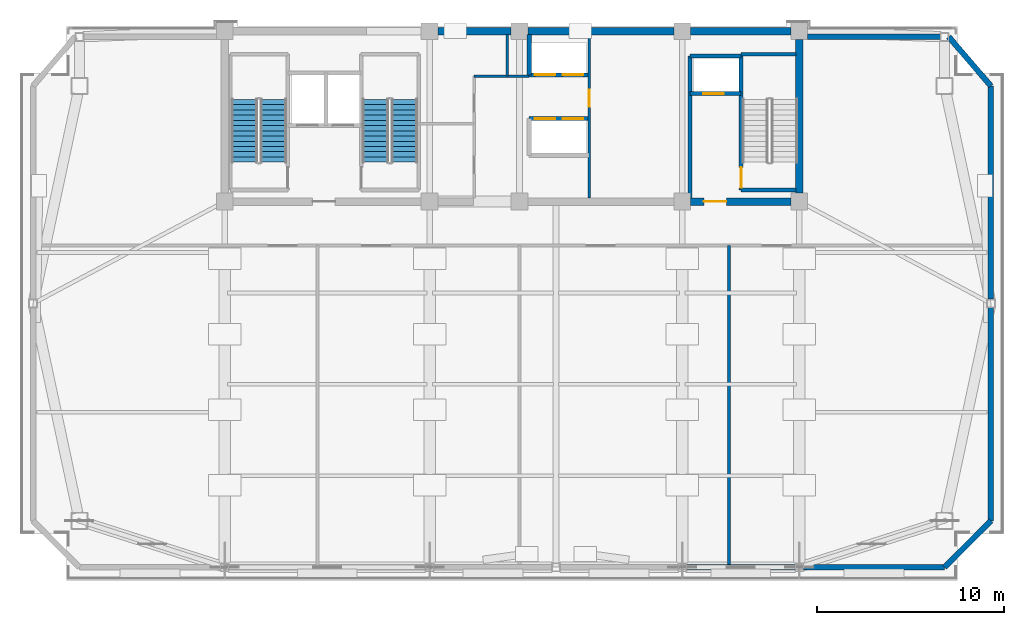
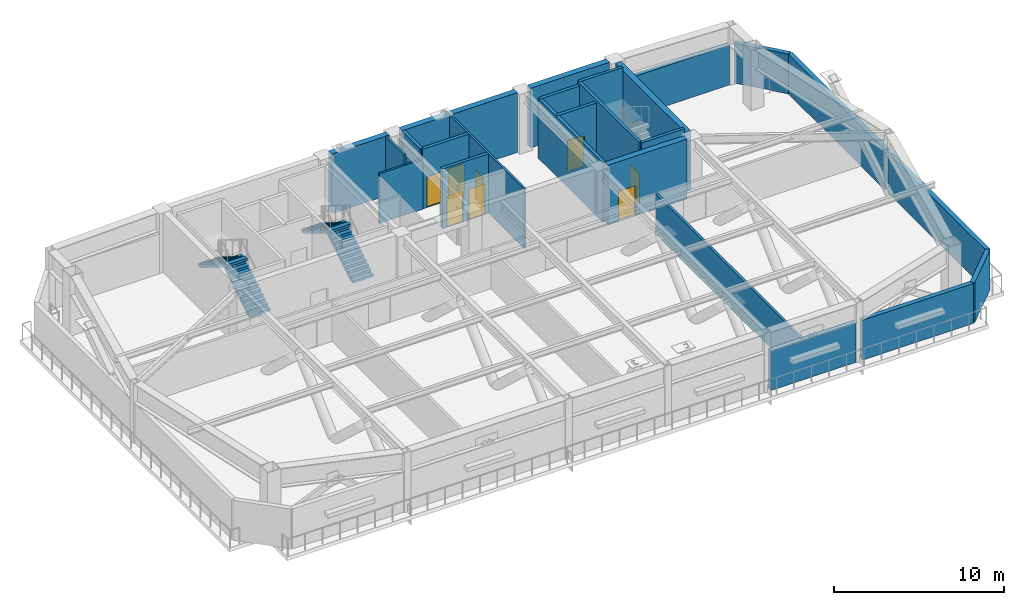
# One storey, part 4 of 8: 25 walls, 8 doors, 4 stair flights, 8 openings, 2 elements without a shape of their own.
"""IFC4 building model written with IfcOpenShell, lengths in metres."""

from ifc_helpers import new_model, si_unit, direction, frame, frame_2d, origin, place, context, subcontext, project, spatial, polyline, rectangle, outline, extrude, source, transform, mapped, material, layer, layer_set, type_object, element, fill, aggregate, save


model = new_model("IFC4")

# Units and contexts
model_context = context("Model", 3, precision=1e-05, world=origin(), true_north=direction((0.0, 1.0)))
body_context = subcontext(model_context, "Body", "Model", "MODEL_VIEW")
ifc_project = project(units=[si_unit("LENGTHUNIT", "METRE"), si_unit("AREAUNIT", "SQUARE_METRE"), si_unit("VOLUMEUNIT", "CUBIC_METRE"), si_unit("PLANEANGLEUNIT", "RADIAN"), si_unit("MASSUNIT", "GRAM", prefix="KILO")], contexts=[model_context])

# Site, building, storey
site_placement = place(None, origin())
site = spatial("IfcSite", under=ifc_project, at=site_placement, CompositionType="ELEMENT")
building_placement = place(site_placement, origin())
building = spatial("IfcBuilding", under=site, at=building_placement, Name="Giltprow Tower", CompositionType="ELEMENT")
storey_placement = place(building_placement, frame((0.0, 0.0, 285.89990234375)))
storey = spatial("IfcBuildingStorey", under=building, at=storey_placement, Name="L73", CompositionType="ELEMENT", Elevation=285.89990234375)

# Walls
ifc_material_1 = material(Name="Precast concrete C40", Category="concrete")
ifc_layer_1 = layer(ifc_material_1, 0.300048828125, Name="Precast concrete C40")
ifc_layer_set_1 = layer_set([ifc_layer_1], Name="Precast concrete C40")
wall_type_1 = type_object("IfcWallType", Name="EW-NOTCH-CHAMFER-300", PredefinedType="SOLIDWALL", material=ifc_layer_set_1)
wall_1_placement = place(storey_placement, frame((58.31396484375, 17.907958984375, 0.0), z_axis=(0.0, 0.0, 1.0), x_axis=(0.707106781187, 0.707106781187, 0.0)))
element("IfcWall", 1, at=wall_1_placement, inside=storey, type_object=wall_type_1, Name="L73 Corner Notch Wall SE", PredefinedType="SOLIDWALL", context=body_context, shape_type="SweptSolid", body=[
    extrude(rectangle(XDim=3.503173828125, YDim=0.300048828125, at=frame_2d((1.75146484375, 0.0))), origin(), (0.0, 0.0, 1.0), 2.864990234375),
])
wall_2_placement = place(storey_placement, frame((60.791015625, 43.6220703125, 0.0), z_axis=(0.0, 0.0, 1.0), x_axis=(-0.650698416405, 0.759336269968, 0.0)))
element("IfcWall", 2, at=wall_2_placement, inside=storey, type_object=wall_type_1, Name="L73 Corner Notch Wall NE", PredefinedType="SOLIDWALL", context=body_context, shape_type="SweptSolid", body=[
    extrude(rectangle(XDim=3.4609375, YDim=0.300048828125, at=frame_2d((1.73046875, 0.0))), origin(), (0.0, 0.0, 1.0), 2.864990234375),
])
ifc_layer_2 = layer(ifc_material_1, 0.300048828125, Name="Precast concrete C40")
ifc_layer_set_2 = layer_set([ifc_layer_2], Name="Precast concrete C40")
wall_type_2 = type_object("IfcWallType", Name="EW-REF-LOUVRE-300", PredefinedType="SOLIDWALL", material=ifc_layer_set_2)
wall_3_placement = place(storey_placement, frame((44.52490234375, 17.907958984375, 0.0), z_axis=(0.0, 0.0, 1.0), x_axis=(1.0, 0.0, 0.0)))
element("IfcWall", 3, at=wall_3_placement, inside=storey, type_object=wall_type_2, Name="L73 South Expressed Frame Wall 5", PredefinedType="SOLIDWALL", context=body_context, shape_type="SweptSolid", body=[
    extrude(rectangle(XDim=5.800048828125, YDim=0.300048828125, at=frame_2d((2.89990234375, 0.0))), origin(), (0.0, 0.0, 1.0), 2.864990234375),
])
wall_4_placement = place(storey_placement, frame((50.77490234375, 17.907958984375, 0.0), z_axis=(0.0, 0.0, 1.0), x_axis=(1.0, 0.0, 0.0)))
element("IfcWall", 4, at=wall_4_placement, inside=storey, type_object=wall_type_2, Name="L73 South Expressed Frame Wall 6", PredefinedType="SOLIDWALL", context=body_context, shape_type="SweptSolid", body=[
    extrude(rectangle(XDim=7.5390625, YDim=0.300048828125, at=frame_2d((3.76953125, 0.0))), origin(), (0.0, 0.0, 1.0), 2.864990234375),
])
wall_5_placement = place(storey_placement, frame((60.791015625, 20.385009765625, 0.0), z_axis=(0.0, 0.0, 1.0), x_axis=(0.0, 1.0, 0.0)))
element("IfcWall", 5, at=wall_5_placement, inside=storey, type_object=wall_type_2, Name="L73 E Wing Masonry Wall 1", PredefinedType="SOLIDWALL", context=body_context, shape_type="SweptSolid", body=[
    extrude(rectangle(XDim=11.39404296875, YDim=0.300048828125, at=frame_2d((5.697021484375, 0.0))), origin(), (0.0, 0.0, 1.0), 2.864990234375),
])
wall_6_placement = place(storey_placement, frame((60.791015625, 32.22900390625, 0.0), z_axis=(0.0, 0.0, 1.0), x_axis=(0.0, 1.0, 0.0)))
element("IfcWall", 6, at=wall_6_placement, inside=storey, type_object=wall_type_2, Name="L73 E Wing Masonry Wall 2", PredefinedType="SOLIDWALL", context=body_context, shape_type="SweptSolid", body=[
    extrude(rectangle(XDim=11.39306640625, YDim=0.300048828125, at=frame_2d((5.696533203125, 0.0))), origin(), (0.0, 0.0, 1.0), 2.864990234375),
])
wall_7_placement = place(storey_placement, frame((51.0, 46.25, 0.0), z_axis=(0.0, 0.0, 1.0), x_axis=(1.0, 0.0, 0.0)))
element("IfcWall", 7, at=wall_7_placement, inside=storey, type_object=wall_type_2, Name="L73 North-East Wing Wall", PredefinedType="SOLIDWALL", context=body_context, shape_type="SweptSolid", body=[
    extrude(rectangle(XDim=7.089111328125, YDim=0.300048828125, at=frame_2d((3.54443359375, 0.0))), origin(), (0.0, 0.0, 1.0), 2.864990234375),
])
ifc_material_2 = material(Name="Gypsum stud partition", Category="gypsum")
ifc_layer_3 = layer(ifc_material_2, 0.159912109375, Name="Gypsum stud partition")
ifc_layer_set_3 = layer_set([ifc_layer_3], Name="Gypsum stud partition")
wall_type_3 = type_object("IfcWallType", Name="IW-DEMISE-160", PredefinedType="PARTITIONING", material=ifc_layer_set_3)
wall_8_placement = place(storey_placement, frame((46.800048828125, 17.907958984375, 0.0), z_axis=(0.0, 0.0, 1.0), x_axis=(0.0, 1.0, 0.0)))
element("IfcWall", 8, at=wall_8_placement, inside=storey, type_object=wall_type_3, Name="L73 Refuge Compartment Wall 3", PredefinedType="PARTITIONING", context=body_context, shape_type="SweptSolid", body=[
    extrude(rectangle(XDim=17.192138671875, YDim=0.159912109375, at=frame_2d((8.59619140625, 0.0))), origin(), (0.0, 0.0, 1.0), 2.8701171875),
])

# Wall, opening, door
ifc_material_3 = material(Name="Concrete C40", Category="concrete")
ifc_layer_4 = layer(ifc_material_3, 0.219970703125, Name="Concrete C40")
ifc_layer_set_4 = layer_set([ifc_layer_4], Name="Concrete C40")
wall_type_4 = type_object("IfcWallType", Name="IW-SHAFT-220", PredefinedType="SOLIDWALL", material=ifc_layer_set_4)
wall_9_placement = place(storey_placement, frame((44.719970703125, 43.219970703125, 0.0), z_axis=(0.0, 0.0, 1.0), x_axis=(1.0, 0.0, 0.0)))
wall_9 = element("IfcWall", 9, at=wall_9_placement, inside=storey, type_object=wall_type_4, Name="L73 FFL2 Front Shaft Wall", PredefinedType="SOLIDWALL", context=body_context, shape_type="SweptSolid", body=[
    extrude(rectangle(XDim=2.719970703125, YDim=0.219970703125, at=frame_2d((1.35986328125, 0.0))), origin(), (0.0, 0.0, 1.0), 4.28515625),
])
opening_1_placement = place(wall_9_placement, frame((0.699951171875, 0.0, 0.0)))
opening_1 = element("IfcOpeningElement", 10, at=opening_1_placement, cuts=wall_9, Name="Opening LD-11", PredefinedType="OPENING", context=body_context, shape_type="SweptSolid", body=[
    extrude(rectangle(XDim=1.10009765625, YDim=2.199951171875, at=frame_2d((0.550048828125, 1.10009765625))), frame((0.0, 0.119873046875, 0.0), z_axis=(0.0, -1.0, 0.0), x_axis=(1.0, 0.0, 0.0)), (0.0, 0.0, 1.0), 0.239990234375),
])
ifc_material_4 = material(Name="Stainless steel", Category="steel")
door_type_1 = type_object("IfcDoorType", Name="DR-LIFT-LD1100", OperationType="SLIDING_TO_LEFT", PredefinedType="DOOR", material=ifc_material_4)
shared_shape_1 = source(origin(), body_context, "Body", "SweptSolid", [
    extrude(rectangle(XDim=1.10009765625, YDim=2.199951171875, at=frame_2d((0.550048828125, 1.10009765625))), frame((0.0, 0.02490234375, 0.0), z_axis=(0.0, -1.0, 0.0), x_axis=(1.0, 0.0, 0.0)), (0.0, 0.0, 1.0), 0.050048828125),
])
door_1_placement = place(opening_1_placement, origin())
door_1 = element("IfcDoor", 11, at=door_1_placement, inside=storey, type_object=door_type_1, Name="L73 FFL2 Landing Door", OperationType="SLIDING_TO_LEFT", OverallHeight=2.199951171875, OverallWidth=1.10009765625, PredefinedType="DOOR", context=body_context, shape_type="MappedRepresentation", body=[
    mapped(shared_shape_1, transform((0.0, 0.0, 0.0), x_axis=(1.0, 0.0, 0.0), y_axis=(0.0, 1.0, 0.0), z_axis=(0.0, 0.0, 1.0), scale=1.0)),
])
fill(opening_1, door_1)

# Walls
wall_10_placement = place(storey_placement, frame((44.719970703125, 45.219970703125, 0.0), z_axis=(0.0, 0.0, 1.0), x_axis=(1.0, 0.0, 0.0)))
element("IfcWall", 12, at=wall_10_placement, inside=storey, type_object=wall_type_4, Name="L73 FFL2 Back Shaft Wall", PredefinedType="SOLIDWALL", context=body_context, shape_type="SweptSolid", body=[
    extrude(rectangle(XDim=2.719970703125, YDim=0.219970703125, at=frame_2d((1.35986328125, 0.0))), origin(), (0.0, 0.0, 1.0), 4.28515625),
])
wall_11_placement = place(storey_placement, frame((44.719970703125, 37.6298828125, 0.0), z_axis=(0.0, 0.0, 1.0), x_axis=(0.0, 1.0, 0.0)))
element("IfcWall", 13, at=wall_11_placement, inside=storey, type_object=wall_type_4, Name="L73 East Firefighting Lobby West Wall", PredefinedType="SOLIDWALL", context=body_context, shape_type="SweptSolid", body=[
    extrude(rectangle(XDim=7.590087890625, YDim=0.219970703125, at=frame_2d((3.794921875, 0.0))), origin(), (0.0, 0.0, 1.0), 4.28515625),
])

# Wall, openings, doors
wall_12_placement = place(storey_placement, frame((36.1201171875, 44.219970703125, 0.0), z_axis=(0.0, 0.0, 1.0), x_axis=(1.0, 0.0, 0.0)))
wall_12 = element("IfcWall", 14, at=wall_12_placement, inside=storey, type_object=wall_type_4, Name="L73 High-Rise Lift Shaft Front Wall N", PredefinedType="SOLIDWALL", context=body_context, shape_type="SweptSolid", body=[
    extrude(rectangle(XDim=3.199951171875, YDim=0.219970703125, at=frame_2d((1.60009765625, 0.0))), origin(), (0.0, 0.0, 1.0), 4.28515625),
])
opening_2_placement = place(wall_12_placement, frame((0.300048828125, 0.0, 0.0)))
opening_2 = element("IfcOpeningElement", 15, at=opening_2_placement, cuts=wall_12, Name="Opening LD-11", PredefinedType="OPENING", context=body_context, shape_type="SweptSolid", body=[
    extrude(rectangle(XDim=1.10009765625, YDim=2.199951171875, at=frame_2d((0.550048828125, 1.10009765625))), frame((0.0, 0.119873046875, 0.0), z_axis=(0.0, -1.0, 0.0), x_axis=(1.0, 0.0, 0.0)), (0.0, 0.0, 1.0), 0.239990234375),
])
opening_3_placement = place(wall_12_placement, frame((1.7900390625, 0.0, 0.0)))
opening_3 = element("IfcOpeningElement", 16, at=opening_3_placement, cuts=wall_12, Name="Opening LD-11", PredefinedType="OPENING", context=body_context, shape_type="SweptSolid", body=[
    extrude(rectangle(XDim=1.10009765625, YDim=2.199951171875, at=frame_2d((0.550048828125, 1.10009765625))), frame((0.0, 0.119873046875, 0.0), z_axis=(0.0, -1.0, 0.0), x_axis=(1.0, 0.0, 0.0)), (0.0, 0.0, 1.0), 0.239990234375),
])
door_2_placement = place(opening_2_placement, origin())
door_2 = element("IfcDoor", 17, at=door_2_placement, inside=storey, type_object=door_type_1, Name="L73 PL-H1 Landing Door", OperationType="SLIDING_TO_LEFT", OverallHeight=2.199951171875, OverallWidth=1.10009765625, PredefinedType="DOOR", context=body_context, shape_type="MappedRepresentation", body=[
    mapped(shared_shape_1, transform((0.0, 0.0, 0.0), x_axis=(1.0, 0.0, 0.0), y_axis=(0.0, 1.0, 0.0), z_axis=(0.0, 0.0, 1.0), scale=1.0)),
])
fill(opening_2, door_2)
door_3_placement = place(opening_3_placement, origin())
door_3 = element("IfcDoor", 18, at=door_3_placement, inside=storey, type_object=door_type_1, Name="L73 PL-H2 Landing Door", OperationType="SLIDING_TO_LEFT", OverallHeight=2.199951171875, OverallWidth=1.10009765625, PredefinedType="DOOR", context=body_context, shape_type="MappedRepresentation", body=[
    mapped(shared_shape_1, transform((0.0, 0.0, 0.0), x_axis=(1.0, 0.0, 0.0), y_axis=(0.0, 1.0, 0.0), z_axis=(0.0, 0.0, 1.0), scale=1.0)),
])
fill(opening_3, door_3)

wall_13_placement = place(storey_placement, frame((36.1201171875, 41.8798828125, 0.0), z_axis=(0.0, 0.0, 1.0), x_axis=(1.0, 0.0, 0.0)))
wall_13 = element("IfcWall", 19, at=wall_13_placement, inside=storey, type_object=wall_type_4, Name="L73 High-Rise Lift Shaft Front Wall S", PredefinedType="SOLIDWALL", context=body_context, shape_type="SweptSolid", body=[
    extrude(rectangle(XDim=3.199951171875, YDim=0.219970703125, at=frame_2d((1.60009765625, 0.0))), origin(), (0.0, 0.0, 1.0), 4.28515625),
])
opening_4_placement = place(wall_13_placement, frame((0.300048828125, 0.0, 0.0)))
opening_4 = element("IfcOpeningElement", 20, at=opening_4_placement, cuts=wall_13, Name="Opening LD-11", PredefinedType="OPENING", context=body_context, shape_type="SweptSolid", body=[
    extrude(rectangle(XDim=1.10009765625, YDim=2.199951171875, at=frame_2d((0.550048828125, 1.10009765625))), frame((0.0, 0.119873046875, 0.0), z_axis=(0.0, -1.0, 0.0), x_axis=(1.0, 0.0, 0.0)), (0.0, 0.0, 1.0), 0.239990234375),
])
opening_5_placement = place(wall_13_placement, frame((1.7900390625, 0.0, 0.0)))
opening_5 = element("IfcOpeningElement", 21, at=opening_5_placement, cuts=wall_13, Name="Opening LD-11", PredefinedType="OPENING", context=body_context, shape_type="SweptSolid", body=[
    extrude(rectangle(XDim=1.10009765625, YDim=2.199951171875, at=frame_2d((0.550048828125, 1.10009765625))), frame((0.0, 0.119873046875, 0.0), z_axis=(0.0, -1.0, 0.0), x_axis=(1.0, 0.0, 0.0)), (0.0, 0.0, 1.0), 0.239990234375),
])
door_4_placement = place(opening_4_placement, origin())
door_4 = element("IfcDoor", 22, at=door_4_placement, inside=storey, type_object=door_type_1, Name="L73 PL-H3 Landing Door", OperationType="SLIDING_TO_LEFT", OverallHeight=2.199951171875, OverallWidth=1.10009765625, PredefinedType="DOOR", context=body_context, shape_type="MappedRepresentation", body=[
    mapped(shared_shape_1, transform((0.0, 0.0, 0.0), x_axis=(1.0, 0.0, 0.0), y_axis=(0.0, 1.0, 0.0), z_axis=(0.0, 0.0, 1.0), scale=1.0)),
])
fill(opening_4, door_4)
door_5_placement = place(opening_5_placement, origin())
door_5 = element("IfcDoor", 23, at=door_5_placement, inside=storey, type_object=door_type_1, Name="L73 PL-H4 Landing Door", OperationType="SLIDING_TO_LEFT", OverallHeight=2.199951171875, OverallWidth=1.10009765625, PredefinedType="DOOR", context=body_context, shape_type="MappedRepresentation", body=[
    mapped(shared_shape_1, transform((0.0, 0.0, 0.0), x_axis=(1.0, 0.0, 0.0), y_axis=(0.0, 1.0, 0.0), z_axis=(0.0, 0.0, 1.0), scale=1.0)),
])
fill(opening_5, door_5)

# Wall
wall_14_placement = place(storey_placement, frame((36.1201171875, 44.219970703125, 0.0), z_axis=(0.0, 0.0, 1.0), x_axis=(0.0, 1.0, 0.0)))
element("IfcWall", 24, at=wall_14_placement, inside=storey, type_object=wall_type_4, Name="L73 High-Rise North Lift West Closure", PredefinedType="SOLIDWALL", context=body_context, shape_type="SweptSolid", body=[
    extrude(rectangle(XDim=2.150146484375, YDim=0.219970703125, at=frame_2d((1.0751953125, 0.0))), origin(), (0.0, 0.0, 1.0), 4.28515625),
])

# Wall, opening, door
ifc_layer_5 = layer(ifc_material_3, 0.199951171875, Name="Concrete C40")
ifc_layer_set_5 = layer_set([ifc_layer_5], Name="Concrete C40")
wall_type_5 = type_object("IfcWallType", Name="IW-STAIR-200", PredefinedType="SOLIDWALL", material=ifc_layer_set_5)
wall_15_placement = place(storey_placement, frame((47.43994140625, 38.070068359375, 0.0), z_axis=(0.0, 0.0, 1.0), x_axis=(0.0, 1.0, 0.0)))
wall_15 = element("IfcWall", 25, at=wall_15_placement, inside=storey, type_object=wall_type_5, Name="L73 Stair ST-3 West Bearing Wall", PredefinedType="SOLIDWALL", context=body_context, shape_type="SweptSolid", body=[
    extrude(rectangle(XDim=7.25, YDim=0.199951171875, at=frame_2d((3.625, 0.0))), origin(), (0.0, 0.0, 1.0), 4.5),
])
opening_6_placement = place(wall_15_placement, frame((0.110107421875, 0.0, 0.0)))
opening_6 = element("IfcOpeningElement", 26, at=opening_6_placement, cuts=wall_15, Name="Opening ID33", PredefinedType="OPENING", context=body_context, shape_type="SweptSolid", body=[
    extrude(rectangle(XDim=1.10009765625, YDim=2.14990234375, at=frame_2d((0.550048828125, 1.074951171875))), frame((0.0, 0.10986328125, 0.0), z_axis=(0.0, -1.0, 0.0), x_axis=(1.0, 0.0, 0.0)), (0.0, 0.0, 1.0), 0.219970703125),
])
ifc_material_5 = material(Name="Steel fire leaf", Category="steel")
door_type_2 = type_object("IfcDoorType", Name="DR-STAIR-1100", OperationType="SINGLE_SWING_LEFT", PredefinedType="DOOR", material=ifc_material_5)
shared_shape_2 = source(origin(), body_context, "Body", "SweptSolid", [
    extrude(rectangle(XDim=1.10009765625, YDim=2.14990234375, at=frame_2d((0.550048828125, 1.074951171875))), frame((0.0, 0.02490234375, 0.0), z_axis=(0.0, -1.0, 0.0), x_axis=(1.0, 0.0, 0.0)), (0.0, 0.0, 1.0), 0.050048828125),
])
door_6_placement = place(opening_6_placement, origin())
door_6 = element("IfcDoor", 27, at=door_6_placement, inside=storey, type_object=door_type_2, Name="L73 Stair ST-3 Fire Door", OperationType="SINGLE_SWING_LEFT", OverallHeight=2.14990234375, OverallWidth=1.10009765625, PredefinedType="DOOR", context=body_context, shape_type="MappedRepresentation", body=[
    mapped(shared_shape_2, transform((0.0, 0.0, 0.0), x_axis=(1.0, 0.0, 0.0), y_axis=(0.0, 1.0, 0.0), z_axis=(0.0, 0.0, 1.0), scale=1.0)),
])
fill(opening_6, door_6)

# Walls
for number, where, z_axis, x_axis, name in (
    (28, (47.43994140625, 45.320068359375, 0.0), (0.0, 0.0, 1.0), (1.0, 0.0, 0.0), "L73 Stair ST-3 North Bearing Wall"),
    (29, (47.43994140625, 38.070068359375, 0.0), (0.0, 0.0, 1.0), (1.0, 0.0, 0.0), "L73 Stair ST-3 South Bearing Wall"),
):
    element("IfcWall", number, at=place(storey_placement, frame(where, z_axis=z_axis, x_axis=x_axis)), inside=storey, type_object=wall_type_5, Name=name, PredefinedType="SOLIDWALL", context=body_context, shape_type="SweptSolid", body=[
        extrude(rectangle(XDim=2.93017578125, YDim=0.199951171875, at=frame_2d((1.465087890625, 0.0))), origin(), (0.0, 0.0, 1.0), 4.5),
    ])
ifc_material_6 = material(Name="Concrete C30", Category="concrete")
ifc_layer_6 = layer(ifc_material_6, 0.1298828125, Name="Concrete C30")
ifc_layer_set_6 = layer_set([ifc_layer_6], Name="Concrete C30")
wall_type_6 = type_object("IfcWallType", Name="IW-WET-130", PredefinedType="PARTITIONING", material=ifc_layer_set_6)
wall_16_placement = place(storey_placement, frame((34.949951171875, 44.14990234375, 0.0), z_axis=(0.0, 0.0, 1.0), x_axis=(0.0, 1.0, 0.0)))
element("IfcWall", 30, at=wall_16_placement, inside=storey, type_object=wall_type_6, Name="L73 Reclaimed West Pocket Wall E", PredefinedType="PARTITIONING", context=body_context, shape_type="SweptSolid", body=[
    extrude(rectangle(XDim=2.22021484375, YDim=0.1298828125, at=frame_2d((1.110107421875, 0.0))), origin(), (0.0, 0.0, 1.0), 4.28515625),
])
wall_17_placement = place(storey_placement, frame((33.179931640625, 44.14990234375, 0.0), z_axis=(0.0, 0.0, 1.0), x_axis=(1.0, 0.0, 0.0)))
element("IfcWall", 31, at=wall_17_placement, inside=storey, type_object=wall_type_6, Name="L73 Reclaimed West Pocket Wall S", PredefinedType="PARTITIONING", context=body_context, shape_type="SweptSolid", body=[
    extrude(rectangle(XDim=2.940185546875, YDim=0.1298828125, at=frame_2d((1.47021484375, 0.0))), origin(), (0.0, 0.0, 1.0), 3.570068359375),
])

# Wall, opening, door
wall_18_placement = place(storey_placement, frame((39.320068359375, 37.6298828125, 0.0), z_axis=(0.0, 0.0, 1.0), x_axis=(0.0, 1.0, 0.0)))
wall_18 = element("IfcWall", 32, at=wall_18_placement, inside=storey, type_object=wall_type_6, Name="L73 Reclaimed East Core Wall", PredefinedType="PARTITIONING", context=body_context, shape_type="SweptSolid", body=[
    extrude(rectangle(XDim=8.740234375, YDim=0.1298828125, at=frame_2d((4.3701171875, 0.0))), origin(), (0.0, 0.0, 1.0), 4.28515625),
])
opening_7_placement = place(wall_18_placement, frame((4.889892578125, 0.0, 0.0)))
opening_7 = element("IfcOpeningElement", 33, at=opening_7_placement, cuts=wall_18, Name="Opening ID35", PredefinedType="OPENING", context=body_context, shape_type="SweptSolid", body=[
    extrude(rectangle(XDim=0.89990234375, YDim=2.10009765625, at=frame_2d((0.449951171875, 1.050048828125))), frame((0.0, 0.074951171875, 0.0), z_axis=(0.0, -1.0, 0.0), x_axis=(1.0, 0.0, 0.0)), (0.0, 0.0, 1.0), 0.14990234375),
])
door_type_3 = type_object("IfcDoorType", Name="DR-SHAFT-900", OperationType="SINGLE_SWING_LEFT", PredefinedType="DOOR", material=ifc_material_5)
shared_shape_3 = source(origin(), body_context, "Body", "SweptSolid", [
    extrude(rectangle(XDim=0.89990234375, YDim=2.10009765625, at=frame_2d((0.449951171875, 1.050048828125))), frame((0.0, 0.02490234375, 0.0), z_axis=(0.0, -1.0, 0.0), x_axis=(1.0, 0.0, 0.0)), (0.0, 0.0, 1.0), 0.050048828125),
])
door_7_placement = place(opening_7_placement, origin())
door_7 = element("IfcDoor", 34, at=door_7_placement, inside=storey, type_object=door_type_3, Name="L73 Core Cold Delivery Store Door", OperationType="SINGLE_SWING_RIGHT", OverallHeight=2.10009765625, OverallWidth=0.89990234375, PredefinedType="DOOR", context=body_context, shape_type="MappedRepresentation", body=[
    mapped(shared_shape_3, transform((0.0, 0.0, 0.0), x_axis=(1.0, 0.0, 0.0), y_axis=(0.0, 1.0, 0.0), z_axis=(0.0, 0.0, 1.0), scale=1.0)),
])
fill(opening_7, door_7)

# Walls
ifc_material_7 = material(Name="Concrete C45", Category="concrete")
ifc_layer_7 = layer(ifc_material_7, 0.39990234375, Name="Concrete C45")
ifc_layer_set_7 = layer_set([ifc_layer_7], Name="Concrete C45")
wall_type_7 = type_object("IfcWallType", Name="SW-EXT-400-C45", PredefinedType="SHEAR", material=ifc_layer_set_7)
wall_19_placement = place(storey_placement, frame((31.25, 46.550048828125, 0.0), z_axis=(0.0, 0.0, 1.0), x_axis=(1.0, 0.0, 0.0)))
element("IfcWall", 35, at=wall_19_placement, inside=storey, type_object=wall_type_7, Name="L73 North Rear Core Shear Wall 2", PredefinedType="SHEAR", context=body_context, shape_type="SweptSolid", body=[
    extrude(rectangle(XDim=3.89990234375, YDim=0.39990234375, at=frame_2d((1.949951171875, 0.0))), origin(), (0.0, 0.0, 1.0), 4.28515625),
])
wall_20_placement = place(storey_placement, frame((36.050048828125, 46.550048828125, 0.0), z_axis=(0.0, 0.0, 1.0), x_axis=(1.0, 0.0, 0.0)))
element("IfcWall", 36, at=wall_20_placement, inside=storey, type_object=wall_type_7, Name="L73 North Rear Core Shear Wall 3", PredefinedType="SHEAR", context=body_context, shape_type="SweptSolid", body=[
    extrude(rectangle(XDim=7.800048828125, YDim=0.39990234375, at=frame_2d((3.89990234375, 0.0))), origin(), (0.0, 0.0, 1.0), 4.28515625),
])
wall_21_placement = place(storey_placement, frame((44.75, 46.550048828125, 0.0), z_axis=(0.0, 0.0, 1.0), x_axis=(1.0, 0.0, 0.0)))
element("IfcWall", 37, at=wall_21_placement, inside=storey, type_object=wall_type_7, Name="L73 North Rear Core Shear Wall 4", PredefinedType="SHEAR", context=body_context, shape_type="SweptSolid", body=[
    extrude(rectangle(XDim=5.35009765625, YDim=0.39990234375, at=frame_2d((2.675048828125, 0.0))), origin(), (0.0, 0.0, 1.0), 4.28515625),
])

# Wall, opening, door
ifc_layer_8 = layer(ifc_material_7, 0.39990234375, Name="Concrete C45")
ifc_layer_set_8 = layer_set([ifc_layer_8], Name="Concrete C45")
wall_type_8 = type_object("IfcWallType", Name="SW-INT-400-C45", PredefinedType="SHEAR", material=ifc_layer_set_8)
wall_22_placement = place(storey_placement, frame((44.75, 37.449951171875, 0.0), z_axis=(0.0, 0.0, 1.0), x_axis=(1.0, 0.0, 0.0)))
wall_22 = element("IfcWall", 38, at=wall_22_placement, inside=storey, type_object=wall_type_8, Name="L73 South Rear Core Shear Wall East", PredefinedType="SHEAR", context=body_context, shape_type="SweptSolid", body=[
    extrude(rectangle(XDim=5.35009765625, YDim=0.39990234375, at=frame_2d((2.675048828125, 0.0))), origin(), (0.0, 0.0, 1.0), 4.28515625),
])
opening_8_placement = place(wall_22_placement, frame((0.699951171875, 0.0, 0.0)))
opening_8 = element("IfcOpeningElement", 39, at=opening_8_placement, cuts=wall_22, Name="Opening ID19", PredefinedType="OPENING", context=body_context, shape_type="SweptSolid", body=[
    extrude(rectangle(XDim=1.199951171875, YDim=2.14990234375, at=frame_2d((0.60009765625, 1.074951171875))), frame((0.0, 0.2099609375, 0.0), z_axis=(0.0, -1.0, 0.0), x_axis=(1.0, 0.0, 0.0)), (0.0, 0.0, 1.0), 0.419921875),
])
door_type_4 = type_object("IfcDoorType", Name="DR-FFLOBBY-1200", OperationType="SINGLE_SWING_RIGHT", PredefinedType="DOOR", material=ifc_material_5)
shared_shape_4 = source(origin(), body_context, "Body", "SweptSolid", [
    extrude(rectangle(XDim=1.199951171875, YDim=2.14990234375, at=frame_2d((0.60009765625, 1.074951171875))), frame((0.0, 0.02490234375, 0.0), z_axis=(0.0, -1.0, 0.0), x_axis=(1.0, 0.0, 0.0)), (0.0, 0.0, 1.0), 0.050048828125),
])
door_8_placement = place(opening_8_placement, origin())
door_8 = element("IfcDoor", 40, at=door_8_placement, inside=storey, type_object=door_type_4, Name="L73 East Firefighting Lobby Entry Door", OperationType="SINGLE_SWING_RIGHT", OverallHeight=2.14990234375, OverallWidth=1.199951171875, PredefinedType="DOOR", context=body_context, shape_type="MappedRepresentation", body=[
    mapped(shared_shape_4, transform((0.0, 0.0, 0.0), x_axis=(1.0, 0.0, 0.0), y_axis=(0.0, 1.0, 0.0), z_axis=(0.0, 0.0, 1.0), scale=1.0)),
])
fill(opening_8, door_8)

# Wall
wall_23_placement = place(storey_placement, frame((50.550048828125, 37.89990234375, 0.0), z_axis=(0.0, 0.0, 1.0), x_axis=(0.0, 1.0, 0.0)))
element("IfcWall", 41, at=wall_23_placement, inside=storey, type_object=wall_type_8, Name="L73 E Rear Core Shear Wall", PredefinedType="SHEAR", context=body_context, shape_type="SweptSolid", body=[
    extrude(rectangle(XDim=8.2001953125, YDim=0.39990234375, at=frame_2d((4.10009765625, 0.0))), origin(), (0.0, 0.0, 1.0), 4.28515625),
])

# Stair, stair flights
stair_type_1 = type_object("IfcStairType", Name="STR-ST-1", PredefinedType="HALF_TURN_STAIR", material=ifc_material_3)
stair_1_placement = place(storey_placement, origin())
stair_1 = element("IfcStair", 42, at=stair_1_placement, inside=storey, type_object=stair_type_1, Name="L73 Core Exit Stair ST-1", PredefinedType="HALF_TURN_STAIR")
stair_flight_type_1 = type_object("IfcStairFlightType", Name="SFL-ST-1", PredefinedType="STRAIGHT", material=ifc_material_3)
stair_flight_1_placement = place(storey_placement, frame((22.4599609375, 39.550048828125, 0.0), z_axis=(0.0, 0.0, 1.0), x_axis=(0.0, 1.0, 0.0)))
stair_flight_1 = element("IfcStairFlight", 43, at=stair_flight_1_placement, type_object=stair_flight_type_1, Name="ST-1 flight 1", NumberOfRisers=13, NumberOfTreads=12, PredefinedType="STRAIGHT", RiserHeight=0.173076923, TreadLength=0.28, context=body_context, shape_type="SweptSolid", body=[
    extrude(outline(polyline([(0.0, 0.0), (0.0, 0.173095703125), (0.280029296875, 0.173095703125), (0.280029296875, 0.34619140625), (0.56005859375, 0.34619140625), (0.56005859375, 0.519287109375), (0.840087890625, 0.519287109375), (0.840087890625, 0.6923828125), (1.1201171875, 0.6923828125), (1.1201171875, 0.865478515625), (1.39990234375, 0.865478515625), (1.39990234375, 1.03857421875), (1.679931640625, 1.03857421875), (1.679931640625, 1.21142578125), (1.9599609375, 1.21142578125), (1.9599609375, 1.384521484375), (2.239990234375, 1.384521484375), (2.239990234375, 1.5576171875), (2.52001953125, 1.5576171875), (2.52001953125, 1.730712890625), (2.800048828125, 1.730712890625), (2.800048828125, 1.90380859375), (3.080078125, 1.90380859375), (3.080078125, 2.076904296875), (3.360107421875, 2.076904296875), (3.360107421875, 2.25), (3.360107421875, 1.900634765625), (0.28515625, 0.0), (0.0, 0.0)])), frame((0.0, 0.699951171875, 0.0), z_axis=(0.0, -1.0, 0.0), x_axis=(1.0, 0.0, 0.0)), (0.0, 0.0, 1.0), 1.39990234375),
])
stair_flight_2_placement = place(storey_placement, frame((20.89990234375, 42.909912109375, 2.25), z_axis=(0.0, 0.0, 1.0), x_axis=(0.0, -1.0, 0.0)))
stair_flight_2 = element("IfcStairFlight", 44, at=stair_flight_2_placement, type_object=stair_flight_type_1, Name="ST-1 flight 2", NumberOfRisers=13, NumberOfTreads=12, PredefinedType="STRAIGHT", RiserHeight=0.173076923, TreadLength=0.28, context=body_context, shape_type="SweptSolid", body=[
    extrude(outline(polyline([(0.0, 0.0), (0.0, 0.173095703125), (0.280029296875, 0.173095703125), (0.280029296875, 0.34619140625), (0.56005859375, 0.34619140625), (0.56005859375, 0.519287109375), (0.840087890625, 0.519287109375), (0.840087890625, 0.6923828125), (1.1201171875, 0.6923828125), (1.1201171875, 0.865478515625), (1.39990234375, 0.865478515625), (1.39990234375, 1.03857421875), (1.679931640625, 1.03857421875), (1.679931640625, 1.21142578125), (1.9599609375, 1.21142578125), (1.9599609375, 1.384521484375), (2.239990234375, 1.384521484375), (2.239990234375, 1.5576171875), (2.52001953125, 1.5576171875), (2.52001953125, 1.730712890625), (2.800048828125, 1.730712890625), (2.800048828125, 1.90380859375), (3.080078125, 1.90380859375), (3.080078125, 2.076904296875), (3.360107421875, 2.076904296875), (3.360107421875, 2.25), (3.360107421875, 1.900634765625), (0.28515625, 0.0), (0.0, 0.0)])), frame((0.0, 0.699951171875, 0.0), z_axis=(0.0, -1.0, 0.0), x_axis=(1.0, 0.0, 0.0)), (0.0, 0.0, 1.0), 1.39990234375),
])
aggregate(stair_1, [stair_flight_1, stair_flight_2])

stair_type_2 = type_object("IfcStairType", Name="STR-ST-2", PredefinedType="HALF_TURN_STAIR", material=ifc_material_3)
stair_2_placement = place(storey_placement, origin())
stair_2 = element("IfcStair", 45, at=stair_2_placement, inside=storey, type_object=stair_type_2, Name="L73 Core Exit Stair ST-2", PredefinedType="HALF_TURN_STAIR")
stair_flight_type_2 = type_object("IfcStairFlightType", Name="SFL-ST-2", PredefinedType="STRAIGHT", material=ifc_material_3)
stair_flight_3_placement = place(storey_placement, frame((29.4599609375, 39.550048828125, 0.0), z_axis=(0.0, 0.0, 1.0), x_axis=(0.0, 1.0, 0.0)))
stair_flight_3 = element("IfcStairFlight", 46, at=stair_flight_3_placement, type_object=stair_flight_type_2, Name="ST-2 flight 1", NumberOfRisers=13, NumberOfTreads=12, PredefinedType="STRAIGHT", RiserHeight=0.173076923, TreadLength=0.28, context=body_context, shape_type="SweptSolid", body=[
    extrude(outline(polyline([(0.0, 0.0), (0.0, 0.173095703125), (0.280029296875, 0.173095703125), (0.280029296875, 0.34619140625), (0.56005859375, 0.34619140625), (0.56005859375, 0.519287109375), (0.840087890625, 0.519287109375), (0.840087890625, 0.6923828125), (1.1201171875, 0.6923828125), (1.1201171875, 0.865478515625), (1.39990234375, 0.865478515625), (1.39990234375, 1.03857421875), (1.679931640625, 1.03857421875), (1.679931640625, 1.21142578125), (1.9599609375, 1.21142578125), (1.9599609375, 1.384521484375), (2.239990234375, 1.384521484375), (2.239990234375, 1.5576171875), (2.52001953125, 1.5576171875), (2.52001953125, 1.730712890625), (2.800048828125, 1.730712890625), (2.800048828125, 1.90380859375), (3.080078125, 1.90380859375), (3.080078125, 2.076904296875), (3.360107421875, 2.076904296875), (3.360107421875, 2.25), (3.360107421875, 1.900634765625), (0.28515625, 0.0), (0.0, 0.0)])), frame((0.0, 0.699951171875, 0.0), z_axis=(0.0, -1.0, 0.0), x_axis=(1.0, 0.0, 0.0)), (0.0, 0.0, 1.0), 1.39990234375),
])
stair_flight_4_placement = place(storey_placement, frame((27.89990234375, 42.909912109375, 2.25), z_axis=(0.0, 0.0, 1.0), x_axis=(0.0, -1.0, 0.0)))
stair_flight_4 = element("IfcStairFlight", 47, at=stair_flight_4_placement, type_object=stair_flight_type_2, Name="ST-2 flight 2", NumberOfRisers=13, NumberOfTreads=12, PredefinedType="STRAIGHT", RiserHeight=0.173076923, TreadLength=0.28, context=body_context, shape_type="SweptSolid", body=[
    extrude(outline(polyline([(0.0, 0.0), (0.0, 0.173095703125), (0.280029296875, 0.173095703125), (0.280029296875, 0.34619140625), (0.56005859375, 0.34619140625), (0.56005859375, 0.519287109375), (0.840087890625, 0.519287109375), (0.840087890625, 0.6923828125), (1.1201171875, 0.6923828125), (1.1201171875, 0.865478515625), (1.39990234375, 0.865478515625), (1.39990234375, 1.03857421875), (1.679931640625, 1.03857421875), (1.679931640625, 1.21142578125), (1.9599609375, 1.21142578125), (1.9599609375, 1.384521484375), (2.239990234375, 1.384521484375), (2.239990234375, 1.5576171875), (2.52001953125, 1.5576171875), (2.52001953125, 1.730712890625), (2.800048828125, 1.730712890625), (2.800048828125, 1.90380859375), (3.080078125, 1.90380859375), (3.080078125, 2.076904296875), (3.360107421875, 2.076904296875), (3.360107421875, 2.25), (3.360107421875, 1.900634765625), (0.28515625, 0.0), (0.0, 0.0)])), frame((0.0, 0.699951171875, 0.0), z_axis=(0.0, -1.0, 0.0), x_axis=(1.0, 0.0, 0.0)), (0.0, 0.0, 1.0), 1.39990234375),
])
aggregate(stair_2, [stair_flight_3, stair_flight_4])

save(model, "model.ifc")
